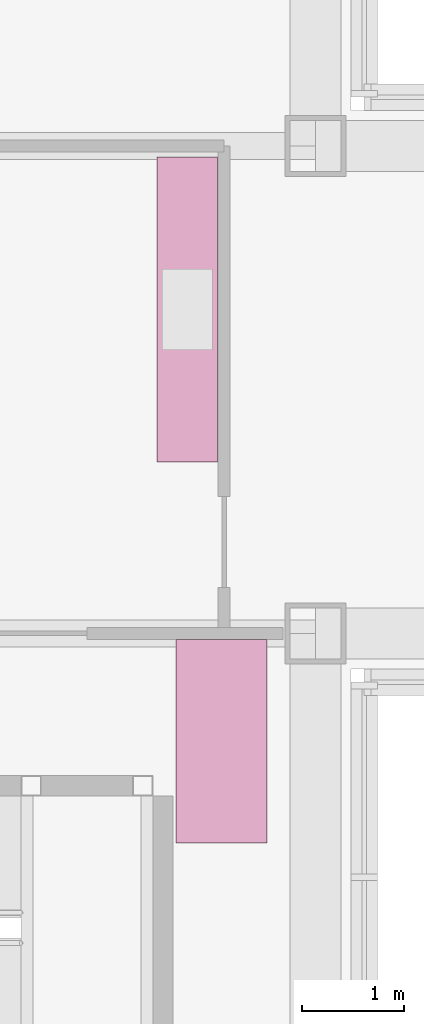
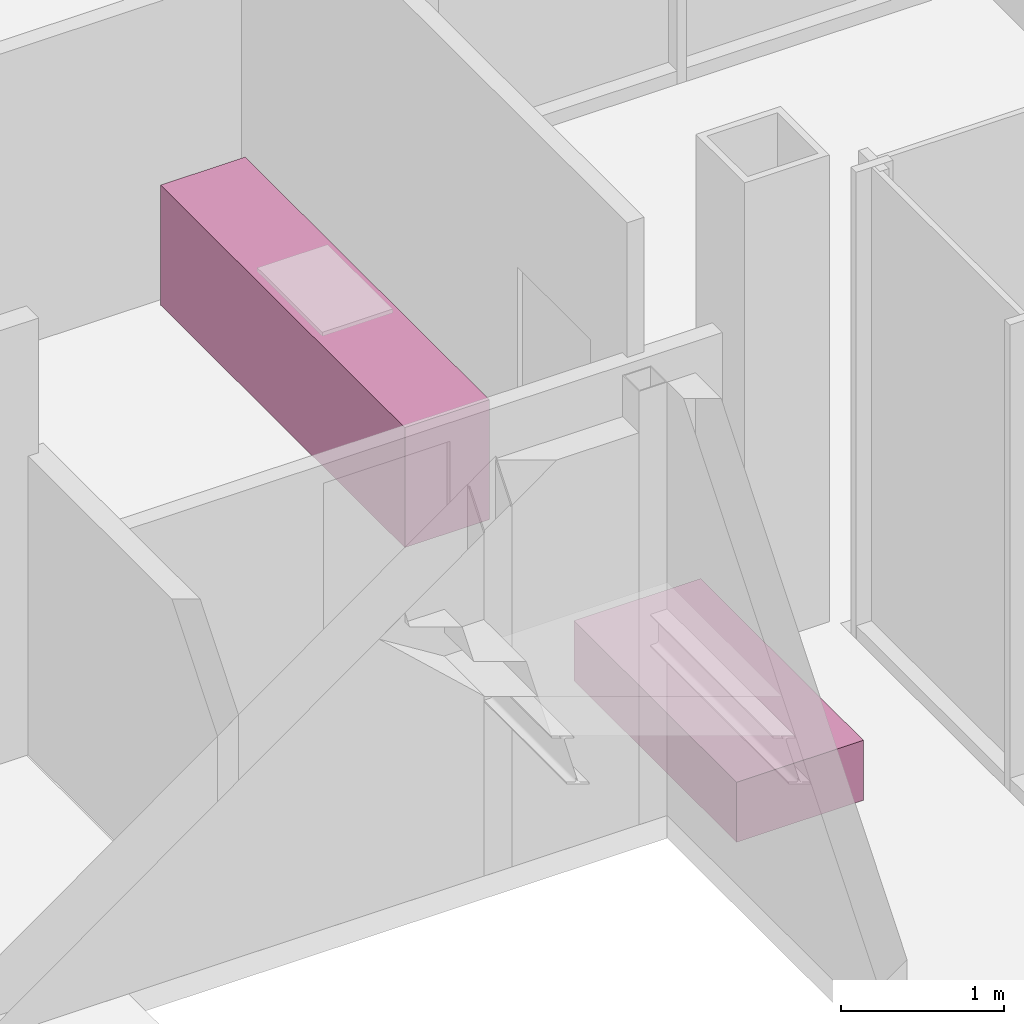
# One storey, part 15 of 15: 2 furniture elements.
"""IFC4 building model written with IfcOpenShell, lengths in metres."""

import ifcopenshell
import ifcopenshell.guid

model = None  # the IFC model being written
_history = None  # IfcOwnerHistory: only IFC2X3 demands one
_inside = {}  # id of a spatial element -> (the spatial element, [elements in it])
_under = {}  # id of a project, library or spatial element -> (it, [spatial elements below it])
_declared = {}  # id of a project -> (the project, [libraries it declares])
_typed = {}  # id of a type object -> (the type object, [elements of that type])
_made_of = {}  # id of a material, layer set ... -> (it, [elements and type objects made of it])


def new_model(schema):
    """Start an empty IFC model of exactly this schema.

    Asked for "IFC4X3", IfcOpenShell would pick the latest addendum, in which some entities
    have other attributes; the version numbers below select the first issue.
    IFC2X3 requires an IfcOwnerHistory on every rooted entity: one is made here for all.
    """
    global model, _history
    if schema == "IFC4X3":
        model = ifcopenshell.file(schema_version=(4, 3, 0, 0))
    else:
        model = ifcopenshell.file(schema=schema)
    _inside.clear()
    _under.clear()
    _declared.clear()
    _typed.clear()
    _made_of.clear()
    _history = None
    if model.schema == "IFC2X3":
        org = make("IfcOrganization", Name="unknown")
        user = make(
            "IfcPersonAndOrganization",
            ThePerson=make("IfcPerson", FamilyName="unknown"),
            TheOrganization=org,
        )
        app = make(
            "IfcApplication",
            ApplicationDeveloper=org,
            Version="unknown",
            ApplicationFullName="unknown",
            ApplicationIdentifier="unknown",
        )
        _history = make(
            "IfcOwnerHistory",
            OwningUser=user,
            OwningApplication=app,
            ChangeAction="ADDED",
            CreationDate=0,
        )
    return model


def make(cls, **values):
    """One entity of the class cls with the attributes given. An attribute that is None is left unset."""
    return model.create_entity(
        cls, **{name: value for name, value in values.items() if value is not None}
    )


def rooted(cls, **values):
    """An entity with a GlobalId (a new one), such as an element, a storey or a relation."""
    return make(cls, GlobalId=ifcopenshell.guid.new(), OwnerHistory=_history, **values)


def si_unit(unit_type, name, prefix=None):
    """IfcSIUnit, for example si_unit("LENGTHUNIT", "METRE", prefix="MILLI")."""
    return make("IfcSIUnit", UnitType=unit_type, Prefix=prefix, Name=name)


def assignment(units):
    """IfcUnitAssignment: the units of a project."""
    return None if units is None else make("IfcUnitAssignment", Units=units)


def point(xyz):
    """IfcCartesianPoint."""
    return None if xyz is None else make("IfcCartesianPoint", Coordinates=xyz)


def direction(xyz):
    """IfcDirection."""
    return None if xyz is None else make("IfcDirection", DirectionRatios=xyz)


def frame(location, z_axis=None, x_axis=None):
    """IfcAxis2Placement3D, a coordinate frame: its origin and axes. An axis left out is left unset."""
    return make(
        "IfcAxis2Placement3D",
        Location=point(location),
        Axis=direction(z_axis),
        RefDirection=direction(x_axis),
    )


def frame_2d(location, x_axis=None):
    """IfcAxis2Placement2D, a coordinate frame in the plane: its origin and x axis."""
    return make(
        "IfcAxis2Placement2D", Location=point(location), RefDirection=direction(x_axis)
    )


def origin():
    """The frame at (0, 0, 0) with its axes left unset."""
    return frame((0.0, 0.0, 0.0))


def origin_2d():
    """The frame at (0, 0) in the plane with its x axis left unset."""
    return frame_2d((0.0, 0.0))


def place(relative_to, where):
    """IfcLocalPlacement: puts the frame where relative to a parent placement (None: the world)."""
    return make(
        "IfcLocalPlacement", PlacementRelTo=relative_to, RelativePlacement=where
    )


def context(
    kind, dimensions, precision=None, world=None, true_north=None, identifier=None
):
    """IfcGeometricRepresentationContext, for example the 3D "Model" context."""
    return make(
        "IfcGeometricRepresentationContext",
        ContextIdentifier=identifier,
        ContextType=kind,
        CoordinateSpaceDimension=dimensions,
        Precision=precision,
        WorldCoordinateSystem=world,
        TrueNorth=true_north,
    )


def subcontext(parent, identifier, kind, view, scale=None):
    """IfcGeometricRepresentationSubContext, for example "Body" below "Model"."""
    return make(
        "IfcGeometricRepresentationSubContext",
        ContextIdentifier=identifier,
        ContextType=kind,
        ParentContext=parent,
        TargetScale=scale,
        TargetView=view,
    )


def project(units=None, contexts=None):
    """IfcProject with its units and contexts."""
    return rooted(
        "IfcProject",
        Name="project",
        RepresentationContexts=contexts,
        UnitsInContext=assignment(units),
    )


def spatial(cls, under=None, at=None, **own):
    """A site, building, storey or space (cls), placed at a placement, below another one or the project."""
    s = rooted(cls, ObjectPlacement=at, **own)
    if under is not None:
        _under.setdefault(under.id(), (under, []))[1].append(s)
    return s


def profile(cls, at=None, kind="AREA", **sizes):
    """A parametric profile (cls). Its sizes go by their IFC names, for example OverallWidth=200.0."""
    return make(cls, ProfileType=kind, Position=at, **sizes)


def rectangle(**sizes):
    """IfcRectangleProfileDef."""
    return profile("IfcRectangleProfileDef", **sizes)


def extrude(swept, where, along, depth):
    """IfcExtrudedAreaSolid: the profile swept, set in the frame where, extruded along a direction by depth."""
    return make(
        "IfcExtrudedAreaSolid",
        SweptArea=swept,
        Position=where,
        ExtrudedDirection=direction(along),
        Depth=depth,
    )


def shape(context_of_items, identifier, shape_type, items):
    """IfcShapeRepresentation: the items that make up one representation, for example the "Body"."""
    return make(
        "IfcShapeRepresentation",
        ContextOfItems=context_of_items,
        RepresentationIdentifier=identifier,
        RepresentationType=shape_type,
        Items=items,
    )


def material(Name=None, Category=None):
    """IfcMaterial."""
    return make("IfcMaterial", Name=Name, Category=Category)


def made_of(thing, what):
    """Note that an element or type object is made of a material, layer set ...; save() writes the relation."""
    if what is not None:
        _made_of.setdefault(what.id(), (what, []))[1].append(thing)
    return thing


def type_object(cls, material=None, **own):
    """A type object (cls), such as IfcWallType, which elements share."""
    return made_of(rooted(cls, **own), material)


def element(
    cls,
    number,
    at=None,
    inside=None,
    cuts=None,
    type_object=None,
    material=None,
    context=None,
    identifier="Body",
    shape_type=None,
    held_by="IfcProductDefinitionShape",
    body=None,
    shapes=None,
    **own,
):
    """One element of the class cls, such as IfcWall. Its Tag is "e" and its number.

    at: its placement. inside: the storey or other place that contains it. cuts: it is an
    opening in that element (IfcRelVoidsElement). A single representation is given by context,
    identifier, shape_type and body (its items); several are given by shapes. held_by: the class
    of the entity that holds the representations. save() writes the other relations.
    """
    e = rooted(cls, Tag="e%d" % number, ObjectPlacement=at, **own)
    if body is not None:
        shapes = [shape(context, identifier, shape_type, body)]
    if shapes is not None:
        e.Representation = make(held_by, Representations=shapes)
    if inside is not None:
        _inside.setdefault(inside.id(), (inside, []))[1].append(e)
    if cuts is not None:
        rooted(
            "IfcRelVoidsElement", RelatingBuildingElement=cuts, RelatedOpeningElement=e
        )
    if type_object is not None:
        _typed.setdefault(type_object.id(), (type_object, []))[1].append(e)
    return made_of(e, material)


def aggregate(whole, parts):
    """IfcRelAggregates: a whole, such as a stair, and the parts it consists of."""
    return rooted("IfcRelAggregates", RelatingObject=whole, RelatedObjects=parts)


def save(model, path):
    """Write the relations noted so far, then the file.

    IfcRelAggregates (storeys below a building ...), IfcRelContainedInSpatialStructure (elements
    in a storey), IfcRelDefinesByType, IfcRelAssociatesMaterial and IfcRelDeclares: one each for
    every whole, place, type object, material and project.
    """
    for whole, parts in _under.values():
        aggregate(whole, parts)
    for where, things in _inside.values():
        rooted(
            "IfcRelContainedInSpatialStructure",
            RelatedElements=things,
            RelatingStructure=where,
        )
    for kind, things in _typed.values():
        rooted("IfcRelDefinesByType", RelatedObjects=things, RelatingType=kind)
    for what, things in _made_of.values():
        rooted("IfcRelAssociatesMaterial", RelatedObjects=things, RelatingMaterial=what)
    for by, libraries in _declared.values():
        rooted("IfcRelDeclares", RelatingContext=by, RelatedDefinitions=libraries)
    model.write(path)


model = new_model("IFC4")

# Units and contexts
model_context = context("Model", 3, precision=1e-05, world=origin(), true_north=direction((0.0, 1.0)))
body_context = subcontext(model_context, "Body", "Model", "MODEL_VIEW")
ifc_project = project(units=[si_unit("LENGTHUNIT", "METRE"), si_unit("AREAUNIT", "SQUARE_METRE"), si_unit("VOLUMEUNIT", "CUBIC_METRE"), si_unit("PLANEANGLEUNIT", "RADIAN"), si_unit("MASSUNIT", "GRAM", prefix="KILO")], contexts=[model_context])

# Site, building, storey
site_placement = place(None, origin())
site = spatial("IfcSite", under=ifc_project, at=site_placement, CompositionType="ELEMENT")
building_placement = place(site_placement, origin())
building = spatial("IfcBuilding", under=site, at=building_placement, Name="Kvirike Care Tower", CompositionType="ELEMENT")
storey_placement = place(building_placement, frame((0.0, 0.0, 240.0)))
storey = spatial("IfcBuildingStorey", under=building, at=storey_placement, Name="L66", CompositionType="ELEMENT", Elevation=240.0)

# Furniture
ifc_material_1 = material(Name="Laminated board", Category="wood")
furniture_type_1 = type_object("IfcFurnitureType", Name="KITCHEN UNIT RUN 600", AssemblyPlace="FACTORY", PredefinedType="USERDEFINED", material=ifc_material_1)
furniture_1_placement = place(storey_placement, frame((37.137939453125, 36.7900390625, 0.0), z_axis=(0.0, 0.0, 1.0), x_axis=(0.0, -1.0, 0.0)))
element("IfcFurniture", 1, at=furniture_1_placement, inside=storey, type_object=furniture_type_1, Name="Kitchen unit run L66-023", ObjectType="KITCHEN UNIT", PredefinedType="USERDEFINED", context=body_context, shape_type="SweptSolid", body=[
    extrude(rectangle(XDim=3.0, YDim=0.60009765625, at=origin_2d()), origin(), (0.0, 0.0, 1.0), 0.89990234375),
])
ifc_material_2 = material(Name="Timber", Category="wood")
furniture_type_2 = type_object("IfcFurnitureType", Name="SINGLE BED 900 x 2000", AssemblyPlace="FACTORY", PredefinedType="BED", material=ifc_material_2)
furniture_2_placement = place(storey_placement, frame((37.47509765625, 32.5380859375, 0.0), z_axis=(0.0, 0.0, 1.0), x_axis=(1.0, 0.0, 0.0)))
element("IfcFurniture", 2, at=furniture_2_placement, inside=storey, type_object=furniture_type_2, Name="Single bed L66-019", PredefinedType="BED", context=body_context, shape_type="SweptSolid", body=[
    extrude(rectangle(XDim=0.89990234375, YDim=2.0, at=origin_2d()), origin(), (0.0, 0.0, 1.0), 0.449951171875),
])

save(model, "model.ifc")
